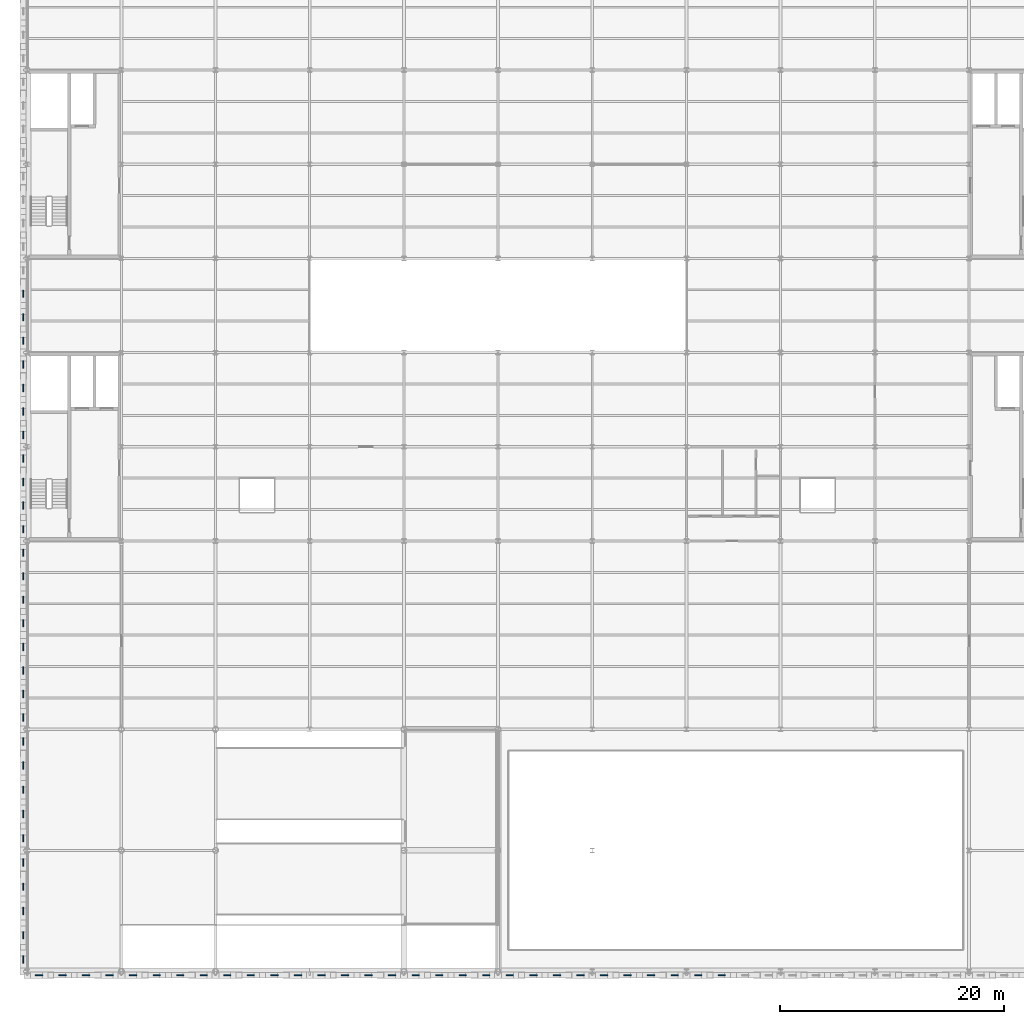
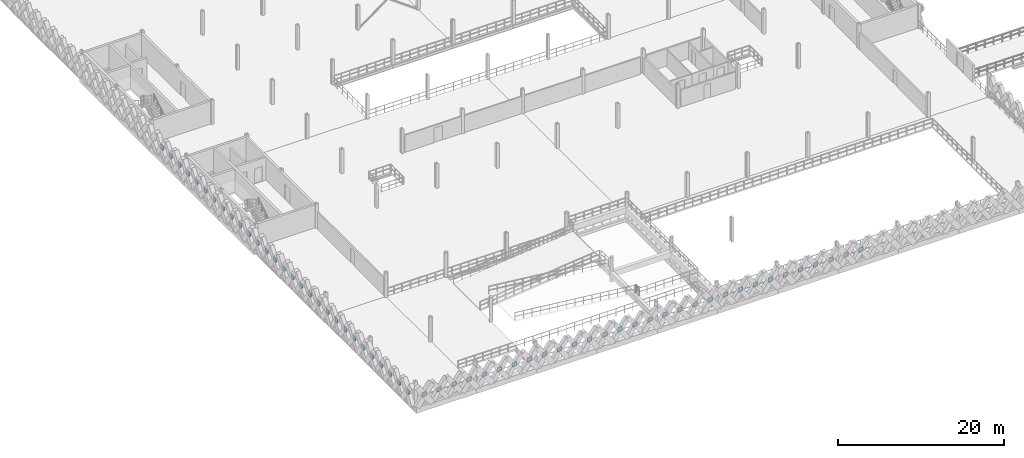
# One storey, part 75 of 101: 59 plates.
"""IFC4 building model written with IfcOpenShell, lengths in metres."""

from ifc_helpers import new_model, si_unit, direction, frame, origin, origin_2d, place, context, subcontext, project, spatial, rectangle, extrude, material, layer, layer_set, type_object, element, save


model = new_model("IFC4")

# Units and contexts
model_context = context("Model", 3, precision=1e-05, world=origin(), true_north=direction((0.0, 1.0)))
body_context = subcontext(model_context, "Body", "Model", "MODEL_VIEW")
ifc_project = project(units=[si_unit("LENGTHUNIT", "METRE"), si_unit("AREAUNIT", "SQUARE_METRE"), si_unit("VOLUMEUNIT", "CUBIC_METRE"), si_unit("PLANEANGLEUNIT", "RADIAN"), si_unit("MASSUNIT", "GRAM", prefix="KILO"), si_unit("THERMODYNAMICTEMPERATUREUNIT", "KELVIN"), si_unit("POWERUNIT", "WATT")], contexts=[model_context])

# Site, building, storey
site_placement = place(None, origin())
site = spatial("IfcSite", under=ifc_project, at=site_placement, CompositionType="ELEMENT")
building_placement = place(site_placement, origin())
building = spatial("IfcBuilding", under=site, at=building_placement, Name="Tembeka Court Mobility Hub", CompositionType="ELEMENT")
storey_placement = place(building_placement, frame((0.0, 0.0, 5.39990234375)))
storey = spatial("IfcBuildingStorey", under=building, at=storey_placement, Name="L01", CompositionType="ELEMENT", Elevation=5.39990234375)

# Plates
ifc_material = material(Name="Precast concrete C45/55", Category="concrete")
ifc_layer = layer(ifc_material, 0.090087890625)
ifc_layer_set = layer_set([ifc_layer], Name="Precast concrete C45/55")
plate_type = type_object("IfcPlateType", Name="PL-PC01", PredefinedType="SHEET", material=ifc_layer_set)
for number, where, z_axis, x_axis, name in (
    (1, (1.050048828125, -0.340087890625, 1.16015625), (0.0, 0.0, 1.0), (1.0, 0.0, 0.0), "Precast diamond lattice node plate PCN01 (L01-1)"),
    (2, (3.14990234375, -0.340087890625, 1.16015625), (0.0, 0.0, 1.0), (1.0, 0.0, 0.0), "Precast diamond lattice node plate PCN01 (L01-2)"),
    (3, (5.25, -0.340087890625, 1.16015625), (0.0, 0.0, 1.0), (1.0, 0.0, 0.0), "Precast diamond lattice node plate PCN01 (L01-3)"),
    (4, (7.35009765625, -0.340087890625, 1.16015625), (0.0, 0.0, 1.0), (1.0, 0.0, 0.0), "Precast diamond lattice node plate PCN01 (L01-4)"),
    (5, (9.449951171875, -0.340087890625, 1.16015625), (0.0, 0.0, 1.0), (1.0, 0.0, 0.0), "Precast diamond lattice node plate PCN01 (L01-5)"),
    (6, (11.550048828125, -0.340087890625, 1.16015625), (0.0, 0.0, 1.0), (1.0, 0.0, 0.0), "Precast diamond lattice node plate PCN01 (L01-6)"),
    (7, (13.64990234375, -0.340087890625, 1.16015625), (0.0, 0.0, 1.0), (1.0, 0.0, 0.0), "Precast diamond lattice node plate PCN01 (L01-7)"),
    (8, (15.75, -0.340087890625, 1.16015625), (0.0, 0.0, 1.0), (1.0, 0.0, 0.0), "Precast diamond lattice node plate PCN01 (L01-8)"),
    (9, (17.85009765625, -0.340087890625, 1.16015625), (0.0, 0.0, 1.0), (1.0, 0.0, 0.0), "Precast diamond lattice node plate PCN01 (L01-9)"),
    (10, (19.949951171875, -0.340087890625, 1.16015625), (0.0, 0.0, 1.0), (1.0, 0.0, 0.0), "Precast diamond lattice node plate PCN01 (L01-10)"),
    (11, (22.050048828125, -0.340087890625, 1.16015625), (0.0, 0.0, 1.0), (1.0, 0.0, 0.0), "Precast diamond lattice node plate PCN01 (L01-11)"),
    (12, (24.14990234375, -0.340087890625, 1.16015625), (0.0, 0.0, 1.0), (1.0, 0.0, 0.0), "Precast diamond lattice node plate PCN01 (L01-12)"),
    (13, (26.25, -0.340087890625, 1.16015625), (0.0, 0.0, 1.0), (1.0, 0.0, 0.0), "Precast diamond lattice node plate PCN01 (L01-13)"),
    (14, (28.35009765625, -0.340087890625, 1.16015625), (0.0, 0.0, 1.0), (1.0, 0.0, 0.0), "Precast diamond lattice node plate PCN01 (L01-14)"),
    (15, (30.449951171875, -0.340087890625, 1.16015625), (0.0, 0.0, 1.0), (1.0, 0.0, 0.0), "Precast diamond lattice node plate PCN01 (L01-15)"),
    (16, (32.550048828125, -0.340087890625, 1.16015625), (0.0, 0.0, 1.0), (1.0, 0.0, 0.0), "Precast diamond lattice node plate PCN01 (L01-16)"),
    (17, (34.64990234375, -0.340087890625, 1.16015625), (0.0, 0.0, 1.0), (1.0, 0.0, 0.0), "Precast diamond lattice node plate PCN01 (L01-17)"),
    (18, (36.75, -0.340087890625, 1.16015625), (0.0, 0.0, 1.0), (1.0, 0.0, 0.0), "Precast diamond lattice node plate PCN01 (L01-18)"),
    (19, (38.85009765625, -0.340087890625, 1.16015625), (0.0, 0.0, 1.0), (1.0, 0.0, 0.0), "Precast diamond lattice node plate PCN01 (L01-19)"),
    (20, (40.949951171875, -0.340087890625, 1.16015625), (0.0, 0.0, 1.0), (1.0, 0.0, 0.0), "Precast diamond lattice node plate PCN01 (L01-20)"),
    (21, (43.050048828125, -0.340087890625, 1.16015625), (0.0, 0.0, 1.0), (1.0, 0.0, 0.0), "Precast diamond lattice node plate PCN01 (L01-21)"),
    (22, (45.14990234375, -0.340087890625, 1.16015625), (0.0, 0.0, 1.0), (1.0, 0.0, 0.0), "Precast diamond lattice node plate PCN01 (L01-22)"),
    (23, (47.25, -0.340087890625, 1.16015625), (0.0, 0.0, 1.0), (1.0, 0.0, 0.0), "Precast diamond lattice node plate PCN01 (L01-23)"),
    (24, (49.35009765625, -0.340087890625, 1.16015625), (0.0, 0.0, 1.0), (1.0, 0.0, 0.0), "Precast diamond lattice node plate PCN01 (L01-24)"),
    (25, (51.449951171875, -0.340087890625, 1.16015625), (0.0, 0.0, 1.0), (1.0, 0.0, 0.0), "Precast diamond lattice node plate PCN01 (L01-25)"),
    (26, (53.550048828125, -0.340087890625, 1.16015625), (0.0, 0.0, 1.0), (1.0, 0.0, 0.0), "Precast diamond lattice node plate PCN01 (L01-26)"),
    (27, (55.64990234375, -0.340087890625, 1.16015625), (0.0, 0.0, 1.0), (1.0, 0.0, 0.0), "Precast diamond lattice node plate PCN01 (L01-27)"),
    (28, (57.75, -0.340087890625, 1.16015625), (0.0, 0.0, 1.0), (1.0, 0.0, 0.0), "Precast diamond lattice node plate PCN01 (L01-28)"),
    (29, (59.85009765625, -0.340087890625, 1.16015625), (0.0, 0.0, 1.0), (1.0, 0.0, 0.0), "Precast diamond lattice node plate PCN01 (L01-29)"),
    (30, (61.949951171875, -0.340087890625, 1.16015625), (0.0, 0.0, 1.0), (1.0, 0.0, 0.0), "Precast diamond lattice node plate PCN01 (L01-30)"),
):
    element("IfcPlate", number, at=place(storey_placement, frame(where, z_axis=z_axis, x_axis=x_axis)), inside=storey, type_object=plate_type, Name=name, PredefinedType="SHEET", context=body_context, shape_type="SweptSolid", body=[
        extrude(rectangle(XDim=0.64990234375, YDim=0.090087890625, at=origin_2d()), origin(), (0.0, 0.0, 1.0), 0.64990234375),
    ])
for number, where, z_axis, x_axis, name in (
    (31, (-0.340087890625, 1.080078125, 1.16015625), (0.0, 0.0, 1.0), (1.0, 0.0, 0.0), "Precast diamond lattice node plate PCN01 (L01-89)"),
    (32, (-0.340087890625, 3.239990234375, 1.16015625), (0.0, 0.0, 1.0), (1.0, 0.0, 0.0), "Precast diamond lattice node plate PCN01 (L01-90)"),
    (33, (-0.340087890625, 5.39990234375, 1.16015625), (0.0, 0.0, 1.0), (1.0, 0.0, 0.0), "Precast diamond lattice node plate PCN01 (L01-91)"),
    (34, (-0.340087890625, 7.56005859375, 1.16015625), (0.0, 0.0, 1.0), (1.0, 0.0, 0.0), "Precast diamond lattice node plate PCN01 (L01-92)"),
    (35, (-0.340087890625, 9.719970703125, 1.16015625), (0.0, 0.0, 1.0), (1.0, 0.0, 0.0), "Precast diamond lattice node plate PCN01 (L01-93)"),
    (36, (-0.340087890625, 11.8798828125, 1.16015625), (0.0, 0.0, 1.0), (1.0, 0.0, 0.0), "Precast diamond lattice node plate PCN01 (L01-94)"),
    (37, (-0.340087890625, 14.0400390625, 1.16015625), (0.0, 0.0, 1.0), (1.0, 0.0, 0.0), "Precast diamond lattice node plate PCN01 (L01-95)"),
    (38, (-0.340087890625, 16.199951171875, 1.16015625), (0.0, 0.0, 1.0), (1.0, 0.0, 0.0), "Precast diamond lattice node plate PCN01 (L01-96)"),
    (39, (-0.340087890625, 18.360107421875, 1.16015625), (0.0, 0.0, 1.0), (1.0, 0.0, 0.0), "Precast diamond lattice node plate PCN01 (L01-97)"),
    (40, (-0.340087890625, 20.52001953125, 1.16015625), (0.0, 0.0, 1.0), (1.0, 0.0, 0.0), "Precast diamond lattice node plate PCN01 (L01-98)"),
    (41, (-0.340087890625, 22.64990234375, 1.16015625), (0.0, 0.0, 1.0), (1.0, 0.0, 0.0), "Precast diamond lattice node plate PCN01 (L01-99)"),
    (42, (-0.340087890625, 24.75, 1.16015625), (0.0, 0.0, 1.0), (1.0, 0.0, 0.0), "Precast diamond lattice node plate PCN01 (L01-100)"),
    (43, (-0.340087890625, 26.85009765625, 1.16015625), (0.0, 0.0, 1.0), (1.0, 0.0, 0.0), "Precast diamond lattice node plate PCN01 (L01-101)"),
    (44, (-0.340087890625, 28.949951171875, 1.16015625), (0.0, 0.0, 1.0), (1.0, 0.0, 0.0), "Precast diamond lattice node plate PCN01 (L01-102)"),
    (45, (-0.340087890625, 31.050048828125, 1.16015625), (0.0, 0.0, 1.0), (1.0, 0.0, 0.0), "Precast diamond lattice node plate PCN01 (L01-103)"),
    (46, (-0.340087890625, 33.14990234375, 1.16015625), (0.0, 0.0, 1.0), (1.0, 0.0, 0.0), "Precast diamond lattice node plate PCN01 (L01-104)"),
    (47, (-0.340087890625, 35.25, 1.16015625), (0.0, 0.0, 1.0), (1.0, 0.0, 0.0), "Precast diamond lattice node plate PCN01 (L01-105)"),
    (48, (-0.340087890625, 37.35009765625, 1.16015625), (0.0, 0.0, 1.0), (1.0, 0.0, 0.0), "Precast diamond lattice node plate PCN01 (L01-106)"),
    (49, (-0.340087890625, 39.449951171875, 1.16015625), (0.0, 0.0, 1.0), (1.0, 0.0, 0.0), "Precast diamond lattice node plate PCN01 (L01-107)"),
    (50, (-0.340087890625, 41.550048828125, 1.16015625), (0.0, 0.0, 1.0), (1.0, 0.0, 0.0), "Precast diamond lattice node plate PCN01 (L01-108)"),
    (51, (-0.340087890625, 43.64990234375, 1.16015625), (0.0, 0.0, 1.0), (1.0, 0.0, 0.0), "Precast diamond lattice node plate PCN01 (L01-109)"),
    (52, (-0.340087890625, 45.75, 1.16015625), (0.0, 0.0, 1.0), (1.0, 0.0, 0.0), "Precast diamond lattice node plate PCN01 (L01-110)"),
    (53, (-0.340087890625, 47.85009765625, 1.16015625), (0.0, 0.0, 1.0), (1.0, 0.0, 0.0), "Precast diamond lattice node plate PCN01 (L01-111)"),
    (54, (-0.340087890625, 49.949951171875, 1.16015625), (0.0, 0.0, 1.0), (1.0, 0.0, 0.0), "Precast diamond lattice node plate PCN01 (L01-112)"),
    (55, (-0.340087890625, 52.050048828125, 1.16015625), (0.0, 0.0, 1.0), (1.0, 0.0, 0.0), "Precast diamond lattice node plate PCN01 (L01-113)"),
    (56, (-0.340087890625, 54.14990234375, 1.16015625), (0.0, 0.0, 1.0), (1.0, 0.0, 0.0), "Precast diamond lattice node plate PCN01 (L01-114)"),
    (57, (-0.340087890625, 56.25, 1.16015625), (0.0, 0.0, 1.0), (1.0, 0.0, 0.0), "Precast diamond lattice node plate PCN01 (L01-115)"),
    (58, (-0.340087890625, 58.35009765625, 1.16015625), (0.0, 0.0, 1.0), (1.0, 0.0, 0.0), "Precast diamond lattice node plate PCN01 (L01-116)"),
    (59, (-0.340087890625, 60.449951171875, 1.16015625), (0.0, 0.0, 1.0), (1.0, 0.0, 0.0), "Precast diamond lattice node plate PCN01 (L01-117)"),
):
    element("IfcPlate", number, at=place(storey_placement, frame(where, z_axis=z_axis, x_axis=x_axis)), inside=storey, type_object=plate_type, Name=name, PredefinedType="SHEET", context=body_context, shape_type="SweptSolid", body=[
        extrude(rectangle(XDim=0.090087890625, YDim=0.64990234375, at=origin_2d()), origin(), (0.0, 0.0, 1.0), 0.64990234375),
    ])

save(model, "model.ifc")
